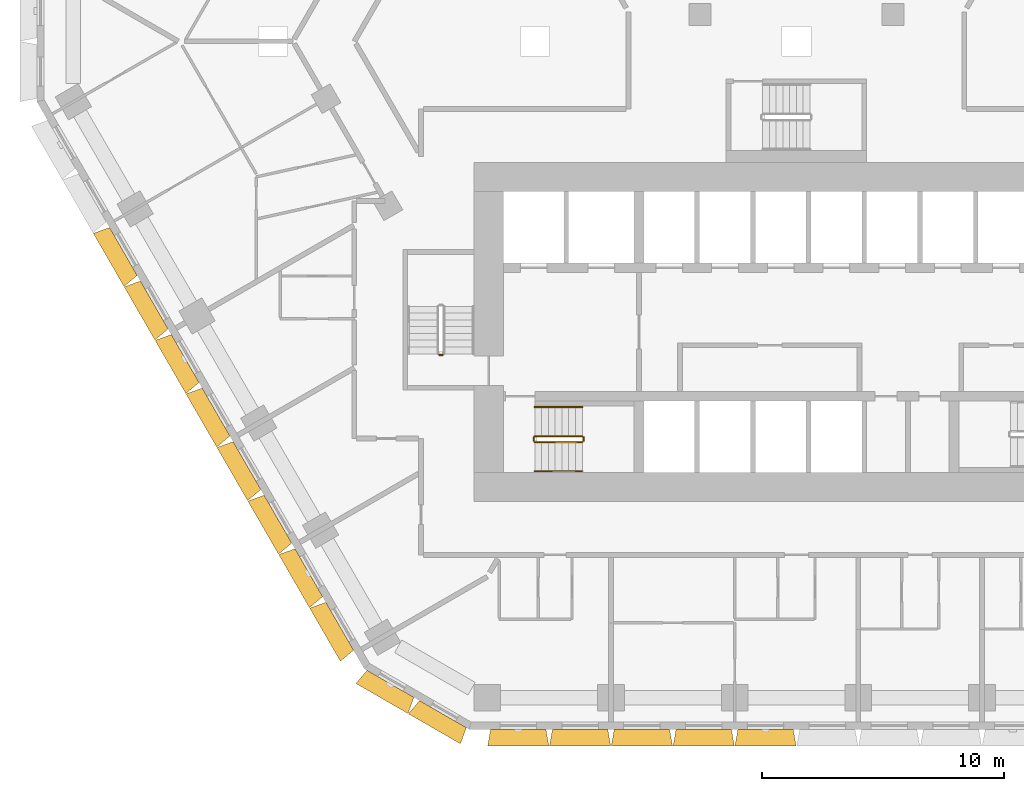
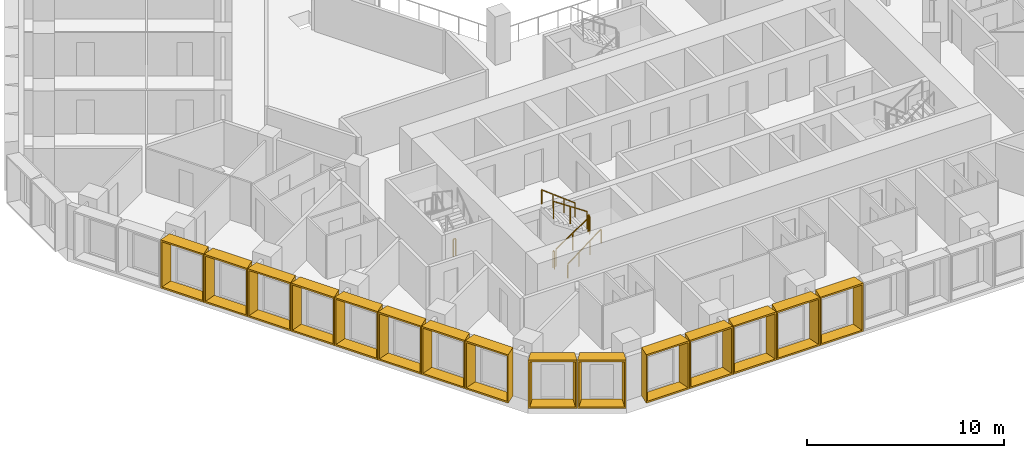
# One storey, part 18 of 21: 15 shading devices, 7 railings.
"""IFC4 building model written with IfcOpenShell, lengths in metres."""

from ifc_helpers import new_model, entity, si_unit, direction, frame, origin, origin_2d, place, context, subcontext, project, spatial, rectangle, extrude, source, transform, mapped, material, type_object, type_shapes, element, save


model = new_model("IFC4")

# Units and contexts
model_context = context("Model", 3, precision=1e-05, world=origin(), true_north=direction((0.0, 1.0)))
body_context = subcontext(model_context, "Body", "Model", "MODEL_VIEW")
ifc_project = project(units=[si_unit("LENGTHUNIT", "METRE"), si_unit("AREAUNIT", "SQUARE_METRE"), si_unit("VOLUMEUNIT", "CUBIC_METRE"), si_unit("PLANEANGLEUNIT", "RADIAN"), si_unit("MASSUNIT", "GRAM", prefix="KILO")], contexts=[model_context])

# Site, building, storey
site_placement = place(None, origin())
site = spatial("IfcSite", under=ifc_project, at=site_placement, CompositionType="ELEMENT")
building_placement = place(site_placement, origin())
building = spatial("IfcBuilding", under=site, at=building_placement, Name="Beryl Residences", CompositionType="ELEMENT")
storey_placement = place(building_placement, frame((0.0, 0.0, 23.39990234375)))
storey = spatial("IfcBuildingStorey", under=building, at=storey_placement, Name="L06", CompositionType="ELEMENT", Elevation=23.39990234375)

# Shading devices
ifc_material_1 = material(Name="Aluminium pale anodised", Category="aluminium")
shading_device_type_1 = type_object("IfcShadingDeviceType", Name="FR250-70A OUTER SKIN frame 700 mm deep, splay 10/10 deg, 2500 x 3000 mm cell", PredefinedType="USERDEFINED", material=ifc_material_1)
cartesian_point_1 = entity("IfcCartesianPoint", [-1.116455078125, 0.0])
cartesian_point_2 = entity("IfcCartesianPoint", [-1.03515625, 0.10009765625])
cartesian_point_3 = entity("IfcCartesianPoint", [-1.239990234375, 0.0])
cartesian_point_4 = entity("IfcCartesianPoint", [-1.15869140625, 0.10009765625])
shared_shape_1 = source(origin(), body_context, "Body", "SweptSolid", [
    entity("IfcExtrudedAreaSolidTapered", entity("IfcArbitraryProfileDefWithVoids", "AREA", None, entity("IfcPolyline", [cartesian_point_1, entity("IfcCartesianPoint", [1.116455078125, 0.0]), entity("IfcCartesianPoint", [1.116455078125, 3.0]), entity("IfcCartesianPoint", [-1.116455078125, 3.0]), cartesian_point_1]), [entity("IfcPolyline", [cartesian_point_2, entity("IfcCartesianPoint", [1.03515625, 0.10009765625]), entity("IfcCartesianPoint", [1.03515625, 2.89990234375]), entity("IfcCartesianPoint", [-1.03515625, 2.89990234375]), cartesian_point_2])]), entity("IfcAxis2Placement3D", entity("IfcCartesianPoint", [0.0, 0.0, 0.0]), entity("IfcDirection", [0.0, 1.0, 0.0]), entity("IfcDirection", [-1.0, 0.0, 0.0])), entity("IfcDirection", [0.0, 0.0, 1.0]), 0.699951171875, entity("IfcArbitraryProfileDefWithVoids", "AREA", None, entity("IfcPolyline", [cartesian_point_3, entity("IfcCartesianPoint", [1.239990234375, 0.0]), entity("IfcCartesianPoint", [1.239990234375, 3.0]), entity("IfcCartesianPoint", [-1.239990234375, 3.0]), cartesian_point_3]), [entity("IfcPolyline", [cartesian_point_4, entity("IfcCartesianPoint", [1.15869140625, 0.10009765625]), entity("IfcCartesianPoint", [1.15869140625, 2.89990234375]), entity("IfcCartesianPoint", [-1.15869140625, 2.89990234375]), cartesian_point_4])])),
])
type_shapes(shading_device_type_1, [shared_shape_1])
for number, where, z_axis, x_axis, name in (
    (1, (-16.758056640625, -26.52490234375, 0.0), (0.0, 0.0, 1.0), (-0.866025403784, 0.5, 0.0), "FR250-70A frame L06 SW-S 1"),
    (2, (-14.593017578125, -27.77490234375, 0.0), (0.0, 0.0, 1.0), (-0.866025403784, 0.5, 0.0), "FR250-70A frame L06 SW-S 2"),
):
    element("IfcShadingDevice", number, at=place(storey_placement, frame(where, z_axis=z_axis, x_axis=x_axis)), inside=storey, type_object=shading_device_type_1, Name=name, ObjectType="OUTER SKIN", PredefinedType="USERDEFINED", context=body_context, shape_type="MappedRepresentation", body=[
        mapped(shared_shape_1, transform((0.0, 0.0, 0.0))),
    ])
ifc_material_2 = material(Name="Aluminium pale anodised", Category="aluminium")
shading_device_type_2 = type_object("IfcShadingDeviceType", Name="FR255-70A OUTER SKIN frame 700 mm deep, splay 10/10 deg, 2550 x 3000 mm cell", PredefinedType="USERDEFINED", material=ifc_material_2)
cartesian_point_5 = entity("IfcCartesianPoint", [-1.1416015625, 0.0])
cartesian_point_6 = entity("IfcCartesianPoint", [-1.060302734375, 0.10009765625])
cartesian_point_7 = entity("IfcCartesianPoint", [-1.264892578125, 0.0])
cartesian_point_8 = entity("IfcCartesianPoint", [-1.18359375, 0.10009765625])
shared_shape_2 = source(origin(), body_context, "Body", "SweptSolid", [
    entity("IfcExtrudedAreaSolidTapered", entity("IfcArbitraryProfileDefWithVoids", "AREA", None, entity("IfcPolyline", [cartesian_point_5, entity("IfcCartesianPoint", [1.1416015625, 0.0]), entity("IfcCartesianPoint", [1.1416015625, 3.0]), entity("IfcCartesianPoint", [-1.1416015625, 3.0]), cartesian_point_5]), [entity("IfcPolyline", [cartesian_point_6, entity("IfcCartesianPoint", [1.060302734375, 0.10009765625]), entity("IfcCartesianPoint", [1.060302734375, 2.89990234375]), entity("IfcCartesianPoint", [-1.060302734375, 2.89990234375]), cartesian_point_6])]), entity("IfcAxis2Placement3D", entity("IfcCartesianPoint", [0.0, 0.0, 0.0]), entity("IfcDirection", [0.0, 1.0, 0.0]), entity("IfcDirection", [-1.0, 0.0, 0.0])), entity("IfcDirection", [0.0, 0.0, 1.0]), 0.699951171875, entity("IfcArbitraryProfileDefWithVoids", "AREA", None, entity("IfcPolyline", [cartesian_point_7, entity("IfcCartesianPoint", [1.264892578125, 0.0]), entity("IfcCartesianPoint", [1.264892578125, 3.0]), entity("IfcCartesianPoint", [-1.264892578125, 3.0]), cartesian_point_7]), [entity("IfcPolyline", [cartesian_point_8, entity("IfcCartesianPoint", [1.18359375, 0.10009765625]), entity("IfcCartesianPoint", [1.18359375, 2.89990234375]), entity("IfcCartesianPoint", [-1.18359375, 2.89990234375]), cartesian_point_8])])),
])
type_shapes(shading_device_type_2, [shared_shape_2])
for number, where, z_axis, x_axis, name in (
    (3, (-27.783935546875, -8.676025390625, 0.0), (0.0, 0.0, 1.0), (-0.5, 0.866025403784, 0.0), "FR255-70A frame L06 SW 3"),
    (4, (-26.508056640625, -10.885986328125, 0.0), (0.0, 0.0, 1.0), (-0.5, 0.866025403784, 0.0), "FR255-70A frame L06 SW 4"),
    (5, (-25.23193359375, -13.095947265625, 0.0), (0.0, 0.0, 1.0), (-0.5, 0.866025403784, 0.0), "FR255-70A frame L06 SW 5"),
    (6, (-23.95703125, -15.305908203125, 0.0), (0.0, 0.0, 1.0), (-0.5, 0.866025403784, 0.0), "FR255-70A frame L06 SW 6"),
    (7, (-22.680908203125, -17.51611328125, 0.0), (0.0, 0.0, 1.0), (-0.5, 0.866025403784, 0.0), "FR255-70A frame L06 SW 7"),
    (8, (-21.405029296875, -19.72607421875, 0.0), (0.0, 0.0, 1.0), (-0.5, 0.866025403784, 0.0), "FR255-70A frame L06 SW 8"),
    (9, (-20.12890625, -21.93603515625, 0.0), (0.0, 0.0, 1.0), (-0.5, 0.866025403784, 0.0), "FR255-70A frame L06 SW 9"),
    (10, (-18.85302734375, -24.14599609375, 0.0), (0.0, 0.0, 1.0), (-0.5, 0.866025403784, 0.0), "FR255-70A frame L06 SW 10"),
    (11, (-11.48291015625, -28.39990234375, 0.0), (0.0, 0.0, 1.0), (-1.0, 0.0, 0.0), "FR255-70A frame L06 S 1"),
    (12, (-8.930908203125, -28.39990234375, 0.0), (0.0, 0.0, 1.0), (-1.0, 0.0, 0.0), "FR255-70A frame L06 S 2"),
    (13, (-6.37890625, -28.39990234375, 0.0), (0.0, 0.0, 1.0), (-1.0, 0.0, 0.0), "FR255-70A frame L06 S 3"),
    (14, (-3.826904296875, -28.39990234375, 0.0), (0.0, 0.0, 1.0), (-1.0, 0.0, 0.0), "FR255-70A frame L06 S 4"),
    (15, (-1.27490234375, -28.39990234375, 0.0), (0.0, 0.0, 1.0), (-1.0, 0.0, 0.0), "FR255-70A frame L06 S 5"),
):
    element("IfcShadingDevice", number, at=place(storey_placement, frame(where, z_axis=z_axis, x_axis=x_axis)), inside=storey, type_object=shading_device_type_2, Name=name, ObjectType="OUTER SKIN", PredefinedType="USERDEFINED", context=body_context, shape_type="MappedRepresentation", body=[
        mapped(shared_shape_2, transform((0.0, 0.0, 0.0))),
    ])

# Railings
ifc_material_3 = material(Name="Stainless steel balustrade with glass infill", Category="steel")
railing_type_1 = type_object("IfcRailingType", Name="SG1 stair guard 1100 mm", PredefinedType="GUARDRAIL", material=ifc_material_3)
railing_1_placement = place(storey_placement, frame((-10.800048828125, -16.550048828125, 0.1875)))
element("IfcRailing", 16, at=railing_1_placement, inside=storey, type_object=railing_type_1, Name="L06 ST-1 stair guard 1", PredefinedType="GUARDRAIL", context=body_context, shape_type="SweptSolid", body=[
    extrude(rectangle(XDim=0.048095703125, YDim=0.048095703125, at=origin_2d()), frame((0.0, 0.0, 1.076171875), z_axis=(0.830902050051, 0.0, 0.556418712142), x_axis=(0.0, 1.0, 0.0)), (0.0, 0.0, 1.0), 2.35888671875),
    extrude(rectangle(XDim=0.0419921875, YDim=0.0419921875, at=origin_2d()), origin(), (0.0, 0.0, 1.0), 1.052001953125),
    extrude(rectangle(XDim=0.0419921875, YDim=0.0419921875, at=origin_2d()), frame((0.97998046875, 0.0, 0.65625)), (0.0, 0.0, 1.0), 1.052001953125),
    extrude(rectangle(XDim=0.0419921875, YDim=0.0419921875, at=origin_2d()), frame((1.9599609375, 0.0, 1.3125)), (0.0, 0.0, 1.0), 1.052001953125),
])
railing_2_placement = place(storey_placement, frame((-8.7900390625, -16.5, 1.5)))
element("IfcRailing", 17, at=railing_2_placement, inside=storey, type_object=railing_type_1, Name="L06 ST-1 stair guard 2", PredefinedType="GUARDRAIL", context=body_context, shape_type="SweptSolid", body=[
    extrude(rectangle(XDim=0.048095703125, YDim=0.048095703125, at=origin_2d()), frame((0.0, 0.0, 1.076171875), z_axis=(0.0, 1.0, 0.0), x_axis=(-1.0, 0.0, 0.0)), (0.0, 0.0, 1.0), 0.14990234375),
    extrude(rectangle(XDim=0.0419921875, YDim=0.0419921875, at=origin_2d()), origin(), (0.0, 0.0, 1.0), 1.052001953125),
    extrude(rectangle(XDim=0.0419921875, YDim=0.0419921875, at=origin_2d()), frame((0.0, 0.14990234375, 0.0)), (0.0, 0.0, 1.0), 1.052001953125),
])
railing_3_placement = place(storey_placement, frame((-8.840087890625, -16.300048828125, 1.6875)))
element("IfcRailing", 18, at=railing_3_placement, inside=storey, type_object=railing_type_1, Name="L06 ST-1 stair guard 3", PredefinedType="GUARDRAIL", context=body_context, shape_type="SweptSolid", body=[
    extrude(rectangle(XDim=0.048095703125, YDim=0.048095703125, at=origin_2d()), frame((0.0, 0.0, 1.076171875), z_axis=(-0.830902050051, 0.0, 0.556418712142), x_axis=(0.0, -1.0, 0.0)), (0.0, 0.0, 1.0), 2.35888671875),
    extrude(rectangle(XDim=0.0419921875, YDim=0.0419921875, at=origin_2d()), origin(), (0.0, 0.0, 1.0), 1.052001953125),
    extrude(rectangle(XDim=0.0419921875, YDim=0.0419921875, at=origin_2d()), frame((-0.97998046875, 0.0, 0.65625)), (0.0, 0.0, 1.0), 1.052001953125),
    extrude(rectangle(XDim=0.0419921875, YDim=0.0419921875, at=origin_2d()), frame((-1.9599609375, 0.0, 1.3125)), (0.0, 0.0, 1.0), 1.052001953125),
])
railing_4_placement = place(storey_placement, frame((-10.85009765625, -16.5, 0.0)))
element("IfcRailing", 19, at=railing_4_placement, inside=storey, type_object=railing_type_1, Name="L06 ST-1 stair guard 4", PredefinedType="GUARDRAIL", context=body_context, shape_type="SweptSolid", body=[
    extrude(rectangle(XDim=0.048095703125, YDim=0.048095703125, at=origin_2d()), frame((0.0, 0.0, 1.076171875), z_axis=(0.0, 1.0, 0.0), x_axis=(-1.0, 0.0, 0.0)), (0.0, 0.0, 1.0), 0.14990234375),
    extrude(rectangle(XDim=0.0419921875, YDim=0.0419921875, at=origin_2d()), origin(), (0.0, 0.0, 1.0), 1.052001953125),
    extrude(rectangle(XDim=0.0419921875, YDim=0.0419921875, at=origin_2d()), frame((0.0, 0.14990234375, 0.0)), (0.0, 0.0, 1.0), 1.052001953125),
])
railing_5_placement = place(storey_placement, frame((-14.60009765625, -12.949951171875, 0.0)))
element("IfcRailing", 20, at=railing_5_placement, inside=storey, type_object=railing_type_1, Name="L06 ST-2 stair guard 4", PredefinedType="GUARDRAIL", context=body_context, shape_type="SweptSolid", body=[
    extrude(rectangle(XDim=0.048095703125, YDim=0.048095703125, at=origin_2d()), frame((0.0, 0.0, 1.076171875), z_axis=(-1.0, 0.0, 0.0), x_axis=(0.0, -1.0, 0.0)), (0.0, 0.0, 1.0), 0.14990234375),
    extrude(rectangle(XDim=0.0419921875, YDim=0.0419921875, at=origin_2d()), origin(), (0.0, 0.0, 1.0), 1.052001953125),
    extrude(rectangle(XDim=0.0419921875, YDim=0.0419921875, at=origin_2d()), frame((-0.14990234375, 0.0, 0.0)), (0.0, 0.0, 1.0), 1.052001953125),
])
ifc_material_4 = material(Name="Stainless steel handrail", Category="steel")
railing_type_2 = type_object("IfcRailingType", Name="SRL1 stair handrail 900 mm", PredefinedType="HANDRAIL", material=ifc_material_4)
railing_6_placement = place(storey_placement, frame((-10.800048828125, -17.75, 0.1875)))
element("IfcRailing", 21, at=railing_6_placement, inside=storey, type_object=railing_type_2, Name="L06 ST-1 stair handrail 1", PredefinedType="HANDRAIL", context=body_context, shape_type="SweptSolid", body=[
    extrude(rectangle(XDim=0.048095703125, YDim=0.048095703125, at=origin_2d()), frame((0.0, 0.0, 0.8759765625), z_axis=(0.794121922505, 0.0, 0.607758481798), x_axis=(0.0, 1.0, 0.0)), (0.0, 0.0, 1.0), 2.468017578125),
    extrude(rectangle(XDim=0.0419921875, YDim=0.0419921875, at=origin_2d()), origin(), (0.0, 0.0, 1.0), 0.851806640625),
    extrude(rectangle(XDim=0.0419921875, YDim=0.0419921875, at=origin_2d()), frame((0.6533203125, 0.0, 0.5)), (0.0, 0.0, 1.0), 0.851806640625),
    extrude(rectangle(XDim=0.0419921875, YDim=0.0419921875, at=origin_2d()), frame((1.306640625, 0.0, 1.0)), (0.0, 0.0, 1.0), 0.851806640625),
    extrude(rectangle(XDim=0.0419921875, YDim=0.0419921875, at=origin_2d()), frame((1.9599609375, 0.0, 1.5)), (0.0, 0.0, 1.0), 0.851806640625),
])
railing_7_placement = place(storey_placement, frame((-8.840087890625, -15.10009765625, 1.6875)))
element("IfcRailing", 22, at=railing_7_placement, inside=storey, type_object=railing_type_2, Name="L06 ST-1 stair handrail 2", PredefinedType="HANDRAIL", context=body_context, shape_type="SweptSolid", body=[
    extrude(rectangle(XDim=0.048095703125, YDim=0.048095703125, at=origin_2d()), frame((0.0, 0.0, 0.8759765625), z_axis=(-0.794121922505, 0.0, 0.607758481798), x_axis=(0.0, -1.0, 0.0)), (0.0, 0.0, 1.0), 2.468017578125),
    extrude(rectangle(XDim=0.0419921875, YDim=0.0419921875, at=origin_2d()), origin(), (0.0, 0.0, 1.0), 0.851806640625),
    extrude(rectangle(XDim=0.0419921875, YDim=0.0419921875, at=origin_2d()), frame((-0.6533203125, 0.0, 0.5)), (0.0, 0.0, 1.0), 0.851806640625),
    extrude(rectangle(XDim=0.0419921875, YDim=0.0419921875, at=origin_2d()), frame((-1.306640625, 0.0, 1.0)), (0.0, 0.0, 1.0), 0.851806640625),
    extrude(rectangle(XDim=0.0419921875, YDim=0.0419921875, at=origin_2d()), frame((-1.9599609375, 0.0, 1.5)), (0.0, 0.0, 1.0), 0.851806640625),
])

save(model, "model.ifc")
